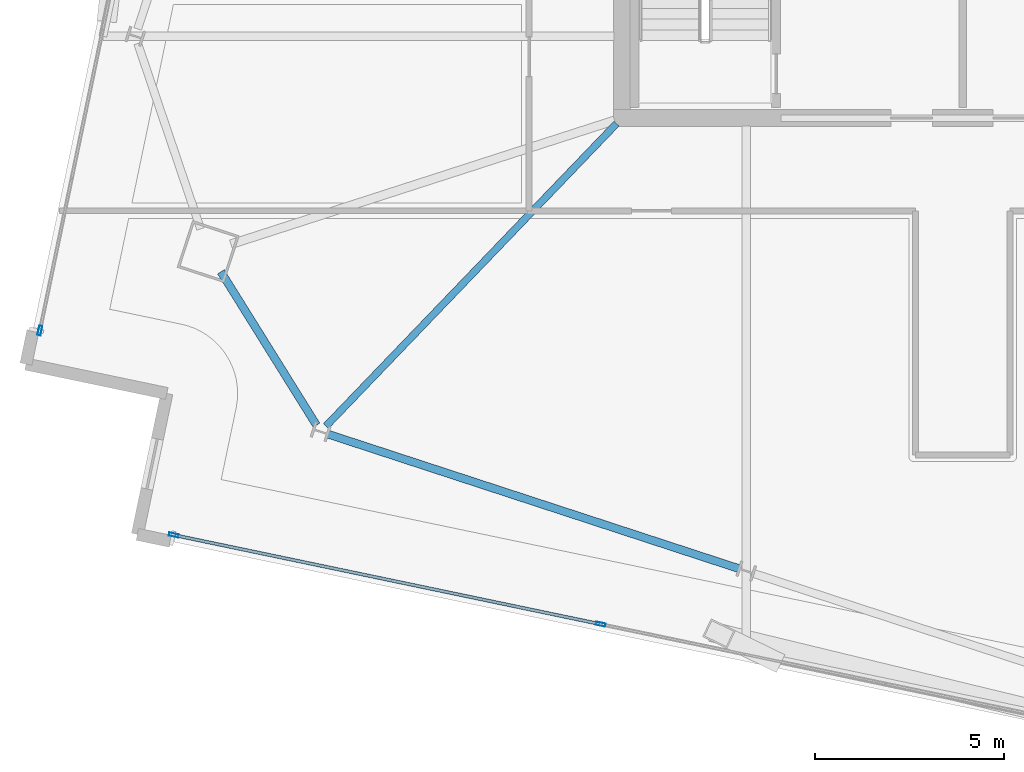
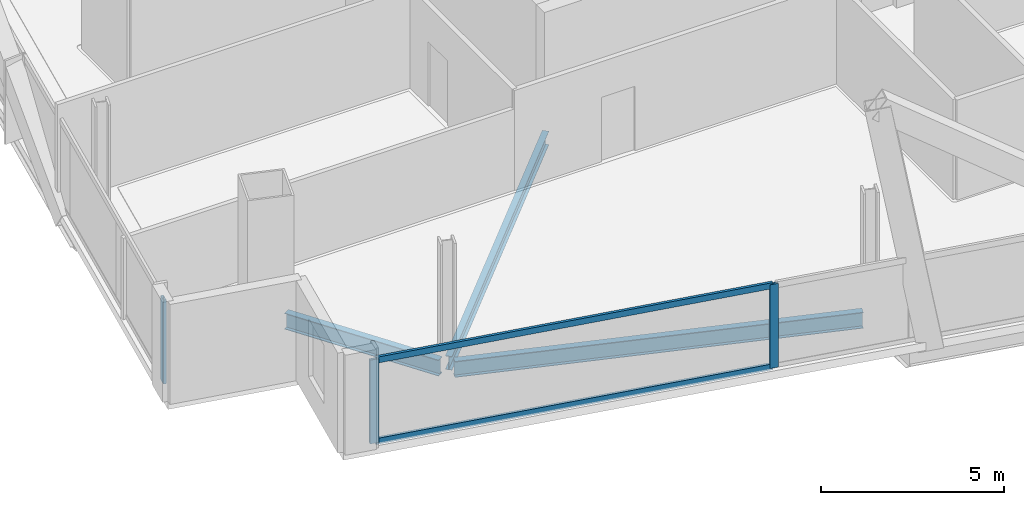
# One storey, part 2 of 24: 5 members, 3 beams, 2 elements without a shape of their own.
"""IFC4 building model written with IfcOpenShell, lengths in metres."""

from ifc_helpers import new_model, si_unit, direction, frame, origin, origin_2d, place, context, subcontext, project, spatial, hollow_rectangle, i_section, extrude, material, material_profile, profile_set, type_object, element, aggregate, save


model = new_model("IFC4")

# Units and contexts
model_context = context("Model", 3, precision=1e-05, world=origin(), true_north=direction((0.0, 1.0)))
body_context = subcontext(model_context, "Body", "Model", "MODEL_VIEW")
ifc_project = project(units=[si_unit("LENGTHUNIT", "METRE"), si_unit("AREAUNIT", "SQUARE_METRE"), si_unit("VOLUMEUNIT", "CUBIC_METRE"), si_unit("PLANEANGLEUNIT", "RADIAN"), si_unit("MASSUNIT", "GRAM", prefix="KILO")], contexts=[model_context])

# Site, building, storey
site_placement = place(None, origin())
site = spatial("IfcSite", under=ifc_project, at=site_placement, CompositionType="ELEMENT")
building_placement = place(site_placement, origin())
building = spatial("IfcBuilding", under=site, at=building_placement, Name="Haldenkirk Collegiate Tower", CompositionType="ELEMENT")
storey_placement = place(building_placement, frame((0.0, 0.0, 289.949951171875)))
storey = spatial("IfcBuildingStorey", under=building, at=storey_placement, Name="L73", CompositionType="ELEMENT", Elevation=289.949951171875)

# Beams
ifc_material_1 = material(Name="Steel ASTM A992 Grade 50", Category="steel")
ifc_material_profile_1 = material_profile(ifc_material_1, i_section(OverallWidth=0.18994140625, OverallDepth=0.45703125, WebThickness=0.009033203125, FlangeThickness=0.014404296875, at=origin_2d()), Name="W18X50")
ifc_profile_set_1 = profile_set([ifc_material_profile_1], Name="Steel ASTM A992 Grade 50")
beam_type_1 = type_object("IfcBeamType", Name="BM-JOIST-W18X50", PredefinedType="JOIST", material=ifc_profile_set_1)
beam_1_placement = place(storey_placement, frame((19.18310546875, 9.8623046875, -0.49853515625), z_axis=(0.692739137096, 0.721188247225, 0.0), x_axis=(-0.721188247225, 0.692739137096, 0.0)))
element("IfcBeam", 1, at=beam_1_placement, inside=storey, type_object=beam_type_1, Name="L73 composite floor joist 14", PredefinedType="JOIST", context=body_context, shape_type="SweptSolid", body=[
    extrude(i_section(OverallWidth=0.18994140625, OverallDepth=0.45703125, WebThickness=0.009033203125, FlangeThickness=0.014404296875, at=origin_2d()), origin(), (0.0, 0.0, 1.0), 11.078857421875),
])
ifc_material_profile_2 = material_profile(ifc_material_1, i_section(OverallWidth=0.2099609375, OverallDepth=0.537109375, WebThickness=0.010986328125, FlangeThickness=0.017333984375, at=origin_2d()), Name="W21X68")
ifc_profile_set_2 = profile_set([ifc_material_profile_2], Name="Steel ASTM A992 Grade 50")
beam_type_2 = type_object("IfcBeamType", Name="BM-SPANDREL-W21X68", PredefinedType="SPANDREL", material=ifc_profile_set_2)
beam_2_placement = place(storey_placement, frame((16.41064453125, 13.939697265625, -0.538330078125), z_axis=(0.528899826427, -0.848684260255, 0.0), x_axis=(0.848684260255, 0.528899826427, 0.0)))
element("IfcBeam", 2, at=beam_2_placement, inside=storey, type_object=beam_type_2, Name="L73 perimeter spandrel beam 13", PredefinedType="SPANDREL", context=body_context, shape_type="SweptSolid", body=[
    extrude(i_section(OverallWidth=0.2099609375, OverallDepth=0.537109375, WebThickness=0.010986328125, FlangeThickness=0.017333984375, at=origin_2d()), origin(), (0.0, 0.0, 1.0), 4.77392578125),
])
beam_3_placement = place(storey_placement, frame((19.235107421875, 9.6533203125, -0.538330078125), z_axis=(0.950408846531, -0.311003254701, 0.0), x_axis=(0.311003254701, 0.950408846531, 0.0)))
element("IfcBeam", 3, at=beam_3_placement, inside=storey, type_object=beam_type_2, Name="L73 perimeter spandrel beam 14", PredefinedType="SPANDREL", context=body_context, shape_type="SweptSolid", body=[
    extrude(i_section(OverallWidth=0.2099609375, OverallDepth=0.537109375, WebThickness=0.010986328125, FlangeThickness=0.017333984375, at=origin_2d()), origin(), (0.0, 0.0, 1.0), 11.421875),
])

# Curtain wall, member
ifc_material_2 = material(Name="Anodised architectural bronze aluminium", Category="aluminium")
curtain_wall_type = type_object("IfcCurtainWallType", Name="CW-SYS1B-CONVEX-HI", PredefinedType="USERDEFINED", material=ifc_material_2)
curtain_wall_1_placement = place(storey_placement, origin())
curtain_wall_1 = element("IfcCurtainWall", 4, at=curtain_wall_1_placement, inside=storey, type_object=curtain_wall_type, Name="L73 Upper tower high-wind convex bronze unitised curtain wall", ObjectType="UNITISED CURTAIN WALL", PredefinedType="USERDEFINED")
ifc_material_profile_3 = material_profile(ifc_material_2, hollow_rectangle(XDim=0.0849609375, YDim=0.25, WallThickness=0.0048828125, at=origin_2d()), Name="CW-MUL-1B")
ifc_profile_set_3 = profile_set([ifc_material_profile_3], Name="Anodised architectural bronze aluminium")
member_type_1 = type_object("IfcMemberType", Name="CW-MUL-1B", PredefinedType="MULLION", material=ifc_profile_set_3)
member_1_placement = place(storey_placement, frame((11.63134765625, 12.38818359375, 0.0), z_axis=(0.0, 0.0, 1.0), x_axis=(-0.978866833362, 0.204498710371, 0.0)))
member_1 = element("IfcMember", 5, at=member_1_placement, type_object=member_type_1, Name="CW-1B mullion 1", PredefinedType="MULLION", context=body_context, shape_type="SweptSolid", body=[
    extrude(hollow_rectangle(XDim=0.0849609375, YDim=0.25, WallThickness=0.0048828125, at=origin_2d()), origin(), (0.0, 0.0, 1.0), 2.798095703125),
])
aggregate(curtain_wall_1, [member_1])

# Curtain wall, members
curtain_wall_2_placement = place(storey_placement, origin())
curtain_wall_2 = element("IfcCurtainWall", 6, at=curtain_wall_2_placement, inside=storey, type_object=curtain_wall_type, Name="L73 Upper tower high-wind convex bronze unitised curtain wall", ObjectType="UNITISED CURTAIN WALL", PredefinedType="USERDEFINED")
member_2_placement = place(storey_placement, frame((26.43701171875, 4.634033203125, 0.0), z_axis=(0.0, 0.0, 1.0), x_axis=(-0.204498952816, -0.978866782712, 0.0)))
member_2 = element("IfcMember", 7, at=member_2_placement, type_object=member_type_1, Name="CW-1B mullion 3", PredefinedType="MULLION", context=body_context, shape_type="SweptSolid", body=[
    extrude(hollow_rectangle(XDim=0.0849609375, YDim=0.25, WallThickness=0.0048828125, at=origin_2d()), origin(), (0.0, 0.0, 1.0), 2.798095703125),
])
member_3_placement = place(storey_placement, frame((15.16455078125, 6.989013671875, 0.0), z_axis=(0.0, 0.0, 1.0), x_axis=(-0.204498952816, -0.978866782712, 0.0)))
member_3 = element("IfcMember", 8, at=member_3_placement, type_object=member_type_1, Name="CW-1B mullion 4", PredefinedType="MULLION", context=body_context, shape_type="SweptSolid", body=[
    extrude(hollow_rectangle(XDim=0.0849609375, YDim=0.25, WallThickness=0.0048828125, at=origin_2d()), origin(), (0.0, 0.0, 1.0), 2.798095703125),
])
ifc_material_profile_4 = material_profile(ifc_material_2, hollow_rectangle(XDim=0.0849609375, YDim=0.199951171875, WallThickness=0.0048828125, at=origin_2d()), Name="CW-TRN-1B")
ifc_profile_set_4 = profile_set([ifc_material_profile_4], Name="Anodised architectural bronze aluminium")
member_type_2 = type_object("IfcMemberType", Name="CW-TRN-1B", PredefinedType="USERDEFINED", material=ifc_profile_set_4)
member_4_placement = place(storey_placement, frame((26.395263671875, 4.642822265625, 0.04248046875), z_axis=(-0.978865656096, 0.204504345468, 0.0), x_axis=(-0.204504345468, -0.978865656096, 0.0)))
member_4 = element("IfcMember", 9, at=member_4_placement, type_object=member_type_2, Name="CW-1B transom 3.1", ObjectType="TRANSOM", PredefinedType="USERDEFINED", context=body_context, shape_type="SweptSolid", body=[
    extrude(hollow_rectangle(XDim=0.0849609375, YDim=0.199951171875, WallThickness=0.0048828125, at=origin_2d()), origin(), (0.0, 0.0, 1.0), 11.430908203125),
])
member_5_placement = place(storey_placement, frame((26.395263671875, 4.642822265625, 2.755615234375), z_axis=(-0.978865656096, 0.204504345468, 0.0), x_axis=(-0.204504345468, -0.978865656096, 0.0)))
member_5 = element("IfcMember", 10, at=member_5_placement, type_object=member_type_2, Name="CW-1B transom 3.2", ObjectType="TRANSOM", PredefinedType="USERDEFINED", context=body_context, shape_type="SweptSolid", body=[
    extrude(hollow_rectangle(XDim=0.0849609375, YDim=0.199951171875, WallThickness=0.0048828125, at=origin_2d()), origin(), (0.0, 0.0, 1.0), 11.430908203125),
])
aggregate(curtain_wall_2, [member_2, member_3, member_4, member_5])

save(model, "model.ifc")
